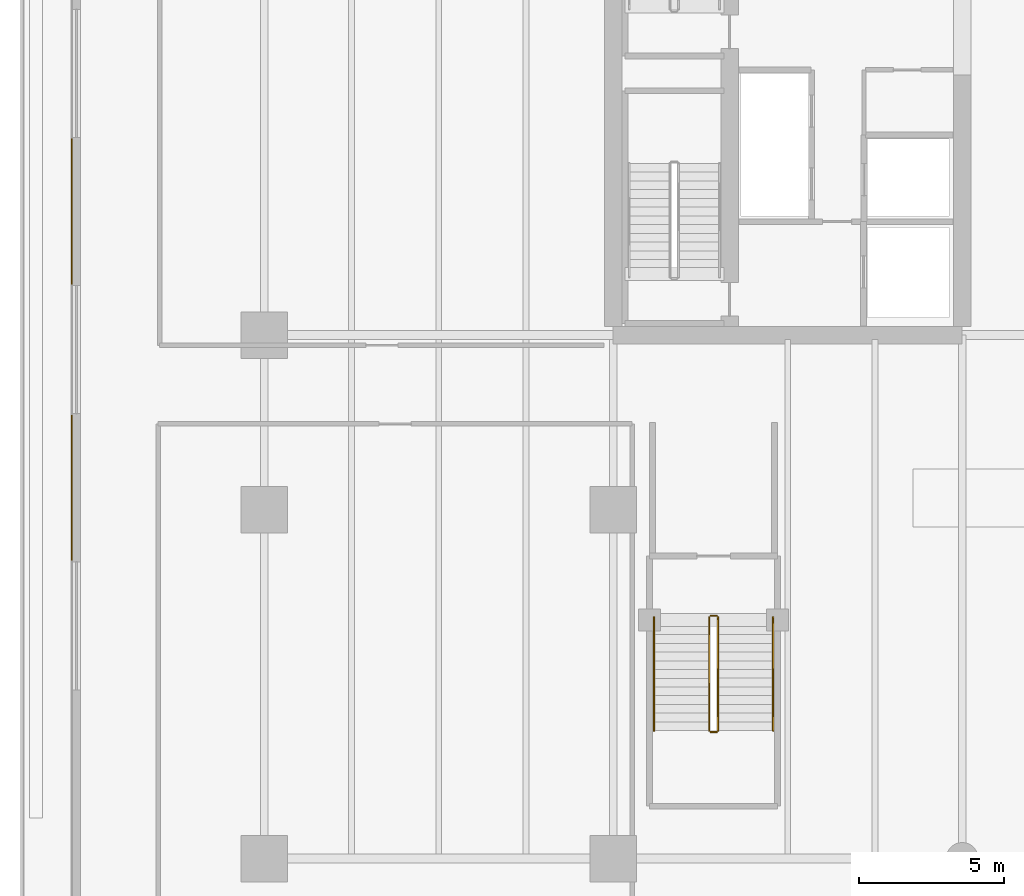
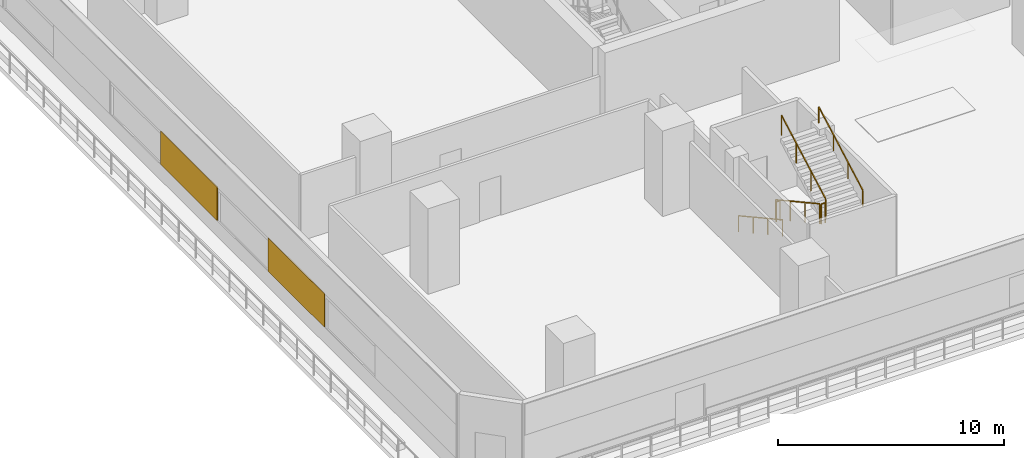
# One storey, part 16 of 27: 6 railings, 2 coverings.
"""IFC4 building model written with IfcOpenShell, lengths in metres."""

from ifc_helpers import new_model, si_unit, direction, frame, origin, origin_2d, place, context, subcontext, project, spatial, rectangle, extrude, material, layer, layer_set, type_object, element, save


model = new_model("IFC4")

# Units and contexts
model_context = context("Model", 3, precision=1e-05, world=origin(), true_north=direction((0.0, 1.0)))
body_context = subcontext(model_context, "Body", "Model", "MODEL_VIEW")
ifc_project = project(units=[si_unit("LENGTHUNIT", "METRE"), si_unit("AREAUNIT", "SQUARE_METRE"), si_unit("VOLUMEUNIT", "CUBIC_METRE"), si_unit("PLANEANGLEUNIT", "RADIAN"), si_unit("MASSUNIT", "GRAM", prefix="KILO")], contexts=[model_context])

# Site, building, storey
site_placement = place(None, origin())
site = spatial("IfcSite", under=ifc_project, at=site_placement, CompositionType="ELEMENT")
building_placement = place(site_placement, origin())
building = spatial("IfcBuilding", under=site, at=building_placement, Name="Tanjung Sevakor Pilgrim Tower", CompositionType="ELEMENT")
storey_placement = place(building_placement, frame((0.0, 0.0, 14.85009765625)))
storey = spatial("IfcBuildingStorey", under=building, at=storey_placement, Name="L04", CompositionType="ELEMENT", Elevation=14.85009765625)

# Coverings
ifc_material_1 = material(Name="Reconstructed Limestone Cladding", Category="masonry")
ifc_layer = layer(ifc_material_1, 0.044921875)
ifc_layer_set = layer_set([ifc_layer], Name="COV-CLAD-LIMESTONE")
covering_type = type_object("IfcCoveringType", Name="COV-CLAD-LIMESTONE", PredefinedType="CLADDING", material=ifc_layer_set)
for number, where, z_axis, x_axis, name in (
    (1, (5.37744140625, 28.85009765625, 0.849853515625), (0.0, 0.0, 1.0), (0.0, -1.0, 0.0), "L04 Warm Limestone Pier Panel EW-L04-MAIN-7-4"),
    (2, (5.37744140625, 19.35009765625, 0.849853515625), (0.0, 0.0, 1.0), (0.0, -1.0, 0.0), "L04 Warm Limestone Pier Panel EW-L04-MAIN-7-5"),
):
    element("IfcCovering", number, at=place(storey_placement, frame(where, z_axis=z_axis, x_axis=x_axis)), inside=storey, type_object=covering_type, Name=name, PredefinedType="CLADDING", context=body_context, shape_type="SweptSolid", body=[
        extrude(rectangle(XDim=5.0, YDim=0.044921875, at=origin_2d()), origin(), (0.0, 0.0, 1.0), 1.81005859375),
    ])

# Railings
ifc_material_2 = material(Name="Steel S355J2", Category="steel")
railing_type_1 = type_object("IfcRailingType", Name="RL-STAIR-GUARD", PredefinedType="GUARDRAIL", material=ifc_material_2)
railing_1_placement = place(storey_placement, frame((27.300048828125, 14.89990234375, 0.164794921875)))
element("IfcRailing", 3, at=railing_1_placement, inside=storey, type_object=railing_type_1, Name="L04 PS-1 stair guard 1", PredefinedType="GUARDRAIL", context=body_context, shape_type="SweptSolid", body=[
    extrude(rectangle(XDim=0.0479, YDim=0.0479), frame((0.0, 0.0, 1.076171875), z_axis=(0.0, -0.876208959939, 0.481931383625), x_axis=(1.0, 0.0, 0.0)), (0.0, 0.0, 1.0), 4.450927734375),
    extrude(rectangle(XDim=0.042, YDim=0.042), origin(), (0.0, 0.0, 1.0), 1.052001953125),
    extrude(rectangle(XDim=0.042, YDim=0.042), frame((0.0, -1.300048828125, 0.715087890625)), (0.0, 0.0, 1.0), 1.052001953125),
    extrude(rectangle(XDim=0.042, YDim=0.042), frame((0.0, -2.599853515625, 1.429931640625)), (0.0, 0.0, 1.0), 1.052001953125),
    extrude(rectangle(XDim=0.042, YDim=0.042), frame((0.0, -3.89990234375, 2.14501953125)), (0.0, 0.0, 1.0), 1.052001953125),
])
railing_2_placement = place(storey_placement, frame((27.35009765625, 10.949951171875, 2.309814453125)))
element("IfcRailing", 4, at=railing_2_placement, inside=storey, type_object=railing_type_1, Name="L04 PS-1 stair guard 2", PredefinedType="GUARDRAIL", context=body_context, shape_type="SweptSolid", body=[
    extrude(rectangle(XDim=0.0479, YDim=0.0479), frame((0.0, 0.0, 1.076171875), z_axis=(1.0, 0.0, 0.0), x_axis=(0.0, 1.0, 0.0)), (0.0, 0.0, 1.0), 0.199951171875),
    extrude(rectangle(XDim=0.042, YDim=0.042), origin(), (0.0, 0.0, 1.0), 1.052001953125),
    extrude(rectangle(XDim=0.042, YDim=0.042), frame((0.199951171875, 0.0, 0.0)), (0.0, 0.0, 1.0), 1.052001953125),
])
railing_3_placement = place(storey_placement, frame((27.60009765625, 11.0, 2.474853515625)))
element("IfcRailing", 5, at=railing_3_placement, inside=storey, type_object=railing_type_1, Name="L04 PS-1 stair guard 3", PredefinedType="GUARDRAIL", context=body_context, shape_type="SweptSolid", body=[
    extrude(rectangle(XDim=0.0479, YDim=0.0479), frame((0.0, 0.0, 1.076171875), z_axis=(0.0, 0.876208959939, 0.481931383625), x_axis=(-1.0, 0.0, 0.0)), (0.0, 0.0, 1.0), 4.450927734375),
    extrude(rectangle(XDim=0.042, YDim=0.042), origin(), (0.0, 0.0, 1.0), 1.052001953125),
    extrude(rectangle(XDim=0.042, YDim=0.042), frame((0.0, 1.300048828125, 0.715087890625)), (0.0, 0.0, 1.0), 1.052001953125),
    extrude(rectangle(XDim=0.042, YDim=0.042), frame((0.0, 2.599853515625, 1.429931640625)), (0.0, 0.0, 1.0), 1.052001953125),
    extrude(rectangle(XDim=0.042, YDim=0.042), frame((0.0, 3.89990234375, 2.14501953125)), (0.0, 0.0, 1.0), 1.052001953125),
])
railing_4_placement = place(storey_placement, frame((27.35009765625, 14.949951171875, 0.0)))
element("IfcRailing", 6, at=railing_4_placement, inside=storey, type_object=railing_type_1, Name="L04 PS-1 stair guard 4", PredefinedType="GUARDRAIL", context=body_context, shape_type="SweptSolid", body=[
    extrude(rectangle(XDim=0.0479, YDim=0.0479), frame((0.0, 0.0, 1.076171875), z_axis=(1.0, 0.0, 0.0), x_axis=(0.0, 1.0, 0.0)), (0.0, 0.0, 1.0), 0.199951171875),
    extrude(rectangle(XDim=0.042, YDim=0.042), origin(), (0.0, 0.0, 1.0), 1.052001953125),
    extrude(rectangle(XDim=0.042, YDim=0.042), frame((0.199951171875, 0.0, 0.0)), (0.0, 0.0, 1.0), 1.052001953125),
])
ifc_material_3 = material(Name="Steel S355J2", Category="steel")
railing_type_2 = type_object("IfcRailingType", Name="RL-STAIR-HAND", PredefinedType="HANDRAIL", material=ifc_material_3)
railing_5_placement = place(storey_placement, frame((25.39990234375, 14.89990234375, 0.164794921875)))
element("IfcRailing", 7, at=railing_5_placement, inside=storey, type_object=railing_type_2, Name="L04 PS-1 stair handrail 1", PredefinedType="HANDRAIL", context=body_context, shape_type="SweptSolid", body=[
    extrude(rectangle(XDim=0.0479, YDim=0.0479), frame((0.0, 0.0, 0.8759765625), z_axis=(0.0, -0.876208959939, 0.481931383625), x_axis=(1.0, 0.0, 0.0)), (0.0, 0.0, 1.0), 4.450927734375),
    extrude(rectangle(XDim=0.042, YDim=0.042), origin(), (0.0, 0.0, 1.0), 0.851806640625),
    extrude(rectangle(XDim=0.042, YDim=0.042), frame((0.0, -1.300048828125, 0.715087890625)), (0.0, 0.0, 1.0), 0.851806640625),
    extrude(rectangle(XDim=0.042, YDim=0.042), frame((0.0, -2.599853515625, 1.429931640625)), (0.0, 0.0, 1.0), 0.851806640625),
    extrude(rectangle(XDim=0.042, YDim=0.042), frame((0.0, -3.89990234375, 2.14501953125)), (0.0, 0.0, 1.0), 0.851806640625),
])
railing_6_placement = place(storey_placement, frame((29.5, 11.0, 2.474853515625)))
element("IfcRailing", 8, at=railing_6_placement, inside=storey, type_object=railing_type_2, Name="L04 PS-1 stair handrail 2", PredefinedType="HANDRAIL", context=body_context, shape_type="SweptSolid", body=[
    extrude(rectangle(XDim=0.0479, YDim=0.0479), frame((0.0, 0.0, 0.8759765625), z_axis=(0.0, 0.876208959939, 0.481931383625), x_axis=(-1.0, 0.0, 0.0)), (0.0, 0.0, 1.0), 4.450927734375),
    extrude(rectangle(XDim=0.042, YDim=0.042), origin(), (0.0, 0.0, 1.0), 0.851806640625),
    extrude(rectangle(XDim=0.042, YDim=0.042), frame((0.0, 1.300048828125, 0.715087890625)), (0.0, 0.0, 1.0), 0.851806640625),
    extrude(rectangle(XDim=0.042, YDim=0.042), frame((0.0, 2.599853515625, 1.429931640625)), (0.0, 0.0, 1.0), 0.851806640625),
    extrude(rectangle(XDim=0.042, YDim=0.042), frame((0.0, 3.89990234375, 2.14501953125)), (0.0, 0.0, 1.0), 0.851806640625),
])

save(model, "model.ifc")
